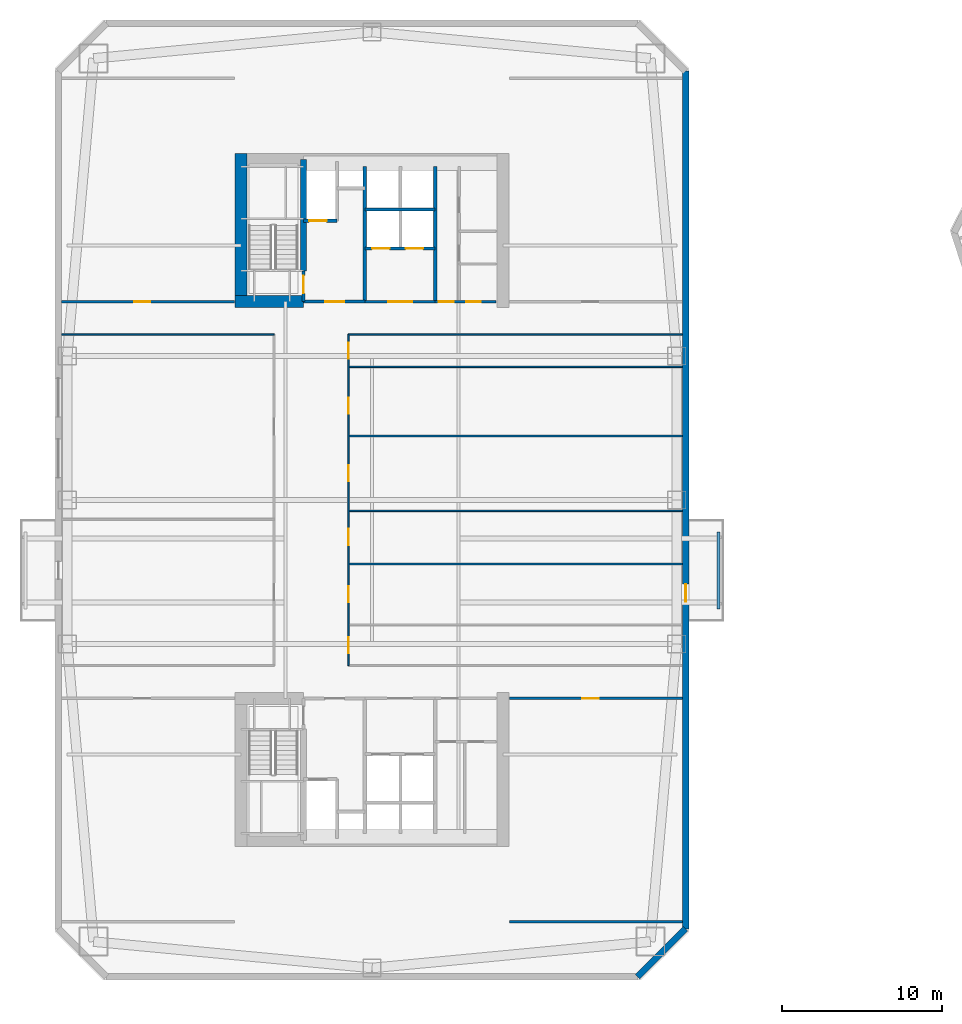
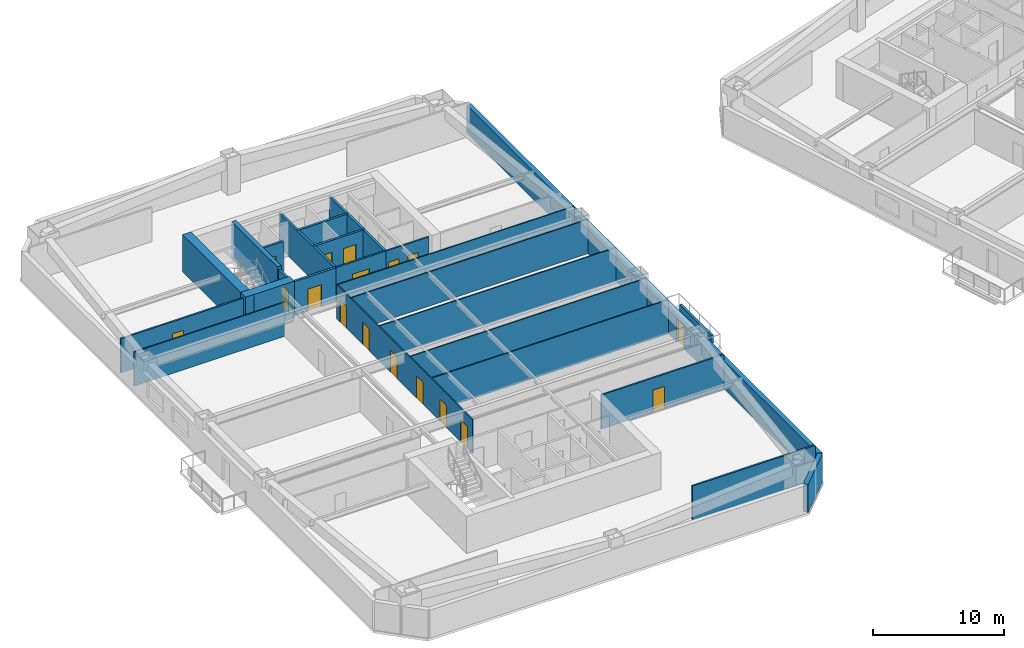
# One storey, part 6 of 15: 25 walls, 17 doors, 17 openings.
"""IFC4 building model written with IfcOpenShell, lengths in metres."""

from ifc_helpers import new_model, si_unit, direction, frame, frame_2d, origin, place, context, subcontext, project, spatial, rectangle, extrude, material, layer, layer_set, type_object, element, fill, save


model = new_model("IFC4")

# Units and contexts
model_context = context("Model", 3, precision=1e-05, world=origin(), true_north=direction((0.0, 1.0)))
body_context = subcontext(model_context, "Body", "Model", "MODEL_VIEW")
ifc_project = project(units=[si_unit("LENGTHUNIT", "METRE"), si_unit("AREAUNIT", "SQUARE_METRE"), si_unit("VOLUMEUNIT", "CUBIC_METRE"), si_unit("PLANEANGLEUNIT", "RADIAN"), si_unit("MASSUNIT", "GRAM", prefix="KILO")], contexts=[model_context])

# Site, building, storey
site_placement = place(None, origin())
site = spatial("IfcSite", under=ifc_project, at=site_placement, CompositionType="ELEMENT")
building_placement = place(site_placement, origin())
building = spatial("IfcBuilding", under=site, at=building_placement, Name="Qiaolan Cultural Towers", CompositionType="ELEMENT")
storey_placement = place(building_placement, frame((0.0, 0.0, 81.64990234375)))
storey = spatial("IfcBuildingStorey", under=building, at=storey_placement, Name="L20", CompositionType="ELEMENT", Elevation=81.64990234375)

# Walls
ifc_material_1 = material(Name="Concrete C50", Category="concrete")
ifc_layer_1 = layer(ifc_material_1, 0.35009765625)
ifc_layer_set_1 = layer_set([ifc_layer_1], Name="Concrete C50")
wall_type_1 = type_object("IfcWallType", Name="WL-CORE-350", PredefinedType="SHEAR", material=ifc_layer_set_1)
wall_1_placement = place(storey_placement, frame((25.719970703125, 48.300048828125, 0.0), z_axis=(0.0, 0.0, 1.0), x_axis=(0.0, 1.0, 0.0)))
element("IfcWall", 1, at=wall_1_placement, inside=storey, type_object=wall_type_1, Name="L20 T1-CN Stair Core Dividing Web", PredefinedType="SHEAR", context=body_context, shape_type="SweptSolid", body=[
    extrude(rectangle(XDim=6.97998046875, YDim=0.35009765625, at=frame_2d((3.489990234375, 0.0))), origin(), (0.0, 0.0, 1.0), 3.4501953125),
])
ifc_material_2 = material(Name="Concrete C60", Category="concrete")
ifc_layer_2 = layer(ifc_material_2, 0.75)
ifc_layer_set_2 = layer_set([ifc_layer_2], Name="Concrete C60")
wall_type_2 = type_object("IfcWallType", Name="WL-CORE-750", PredefinedType="SHEAR", material=ifc_layer_set_2)
wall_2_placement = place(storey_placement, frame((21.800048828125, 46.02490234375, 0.0), z_axis=(0.0, 0.0, 1.0), x_axis=(0.0, 1.0, 0.0)))
element("IfcWall", 2, at=wall_2_placement, inside=storey, type_object=wall_type_2, Name="L20 T1-CN West Core Shear Wall", PredefinedType="SHEAR", context=body_context, shape_type="SweptSolid", body=[
    extrude(rectangle(XDim=9.630126953125, YDim=0.75, at=frame_2d((4.81494140625, 0.0))), origin(), (0.0, 0.0, 1.0), 3.4501953125),
])
wall_3_placement = place(storey_placement, frame((21.425048828125, 46.39990234375, 0.0), z_axis=(0.0, 0.0, 1.0), x_axis=(1.0, 0.0, 0.0)))
element("IfcWall", 3, at=wall_3_placement, inside=storey, type_object=wall_type_2, Name="L20 T1-CN Stair Front Shear Wall", PredefinedType="SHEAR", context=body_context, shape_type="SweptSolid", body=[
    extrude(rectangle(XDim=4.294921875, YDim=0.75, at=frame_2d((2.1474609375, 0.0))), origin(), (0.0, 0.0, 1.0), 3.4501953125),
])

# Wall, opening, door
ifc_material_3 = material(Name="Precast Concrete C50 Honed Stone Pier", Category="masonry")
ifc_layer_3 = layer(ifc_material_3, 0.39990234375)
ifc_layer_set_3 = layer_set([ifc_layer_3], Name="Precast Concrete C50 Honed Stone Pier")
wall_type_3 = type_object("IfcWallType", Name="WL-EXT-PIER-400", PredefinedType="SOLIDWALL", material=ifc_layer_set_3)
wall_4_placement = place(storey_placement, frame((49.60009765625, 60.800048828125, 0.0), z_axis=(0.0, 0.0, 1.0), x_axis=(0.0, -1.0, 0.0)))
wall_4 = element("IfcWall", 4, at=wall_4_placement, inside=storey, type_object=wall_type_3, Name="L20 West Tower Precast Pier Facade Wall F5", PredefinedType="SOLIDWALL", context=body_context, shape_type="SweptSolid", body=[
    extrude(rectangle(XDim=53.60009765625, YDim=0.39990234375, at=frame_2d((26.800048828125, 0.0))), origin(), (0.0, 0.0, 1.0), 2.610107421875),
])
opening_1_placement = place(wall_4_placement, frame((32.050048828125, 0.0, 0.0)))
opening_1 = element("IfcOpeningElement", 5, at=opening_1_placement, cuts=wall_4, Name="Opening BD-01", PredefinedType="OPENING", context=body_context, shape_type="SweptSolid", body=[
    extrude(rectangle(XDim=1.10009765625, YDim=2.14990234375, at=frame_2d((0.550048828125, 1.074951171875))), frame((0.0, 0.2099609375, 0.0), z_axis=(0.0, -1.0, 0.0), x_axis=(1.0, 0.0, 0.0)), (0.0, 0.0, 1.0), 0.419921875),
])
ifc_material_4 = material(Name="Thermally Broken Aluminium Glazed Terrace Door", Category="aluminium")
door_type_1 = type_object("IfcDoorType", Name="DR-BAL-1100", OperationType="NOTDEFINED", PredefinedType="DOOR", material=ifc_material_4)
door_1_placement = place(opening_1_placement, origin())
door_1 = element("IfcDoor", 6, at=door_1_placement, inside=storey, type_object=door_type_1, Name="L20 T1 East Tree Balcony Door", OperationType="SINGLE_SWING_RIGHT", OverallHeight=2.14990234375, OverallWidth=1.10009765625, PredefinedType="DOOR", context=body_context, shape_type="SweptSolid", body=[
    extrude(rectangle(XDim=1.10009765625, YDim=2.14990234375, at=frame_2d((0.550048828125, 1.074951171875))), frame((0.0, 0.02490234375, 0.0), z_axis=(0.0, -1.0, 0.0), x_axis=(1.0, 0.0, 0.0)), (0.0, 0.0, 1.0), 0.050048828125),
])
fill(opening_1, door_1)

# Wall
wall_5_placement = place(storey_placement, frame((49.60009765625, 7.199951171875, 0.0), z_axis=(0.0, 0.0, 1.0), x_axis=(-0.707106781187, -0.707106781187, 0.0)))
element("IfcWall", 7, at=wall_5_placement, inside=storey, type_object=wall_type_3, Name="L20 West Tower Precast Pier Facade Wall F6", PredefinedType="SOLIDWALL", context=body_context, shape_type="SweptSolid", body=[
    extrude(rectangle(XDim=4.24267578125, YDim=0.39990234375, at=frame_2d((2.121337890625, 0.0))), origin(), (0.0, 0.0, 1.0), 2.610107421875),
])

# Wall, opening, door
ifc_material_5 = material(Name="Concrete C35 Fire Wall", Category="concrete")
ifc_layer_4 = layer(ifc_material_5, 0.199951171875)
ifc_layer_set_4 = layer_set([ifc_layer_4], Name="Concrete C35 Fire Wall")
wall_type_4 = type_object("IfcWallType", Name="WL-FIRE-200", PredefinedType="PARTITIONING", material=ifc_layer_set_4)
wall_6_placement = place(storey_placement, frame((25.719970703125, 46.39990234375, 0.0), z_axis=(0.0, 0.0, 1.0), x_axis=(0.0, 1.0, 0.0)))
wall_6 = element("IfcWall", 8, at=wall_6_placement, inside=storey, type_object=wall_type_4, Name="L20 T1-CN Smokeproof Stair Entry Wall", PredefinedType="PARTITIONING", context=body_context, shape_type="SweptSolid", body=[
    extrude(rectangle(XDim=1.900146484375, YDim=0.199951171875, at=frame_2d((0.9501953125, 0.0))), origin(), (0.0, 0.0, 1.0), 3.175048828125),
])
opening_2_placement = place(wall_6_placement, frame((0.52001953125, 0.0, 0.0)))
opening_2 = element("IfcOpeningElement", 9, at=opening_2_placement, cuts=wall_6, Name="Opening FD-04", PredefinedType="OPENING", context=body_context, shape_type="SweptSolid", body=[
    extrude(rectangle(XDim=1.10009765625, YDim=2.050048828125, at=frame_2d((0.550048828125, 1.02490234375))), frame((0.0, 0.10986328125, 0.0), z_axis=(0.0, -1.0, 0.0), x_axis=(1.0, 0.0, 0.0)), (0.0, 0.0, 1.0), 0.219970703125),
])
ifc_material_6 = material(Name="Galvanized Steel Command Fire Door", Category="steel")
door_type_2 = type_object("IfcDoorType", Name="DR-FD90-1100", OperationType="NOTDEFINED", PredefinedType="DOOR", material=ifc_material_6)
door_2_placement = place(opening_2_placement, origin())
door_2 = element("IfcDoor", 10, at=door_2_placement, inside=storey, type_object=door_type_2, Name="L20 ST-W2 Smokeproof Stair Fire Door", OperationType="SINGLE_SWING_LEFT", OverallHeight=2.050048828125, OverallWidth=1.10009765625, PredefinedType="DOOR", context=body_context, shape_type="SweptSolid", body=[
    extrude(rectangle(XDim=1.10009765625, YDim=2.050048828125, at=frame_2d((0.550048828125, 1.02490234375))), frame((0.0, 0.02490234375, 0.0), z_axis=(0.0, -1.0, 0.0), x_axis=(1.0, 0.0, 0.0)), (0.0, 0.0, 1.0), 0.050048828125),
])
fill(opening_2, door_2)

# Wall
wall_7_placement = place(storey_placement, frame((29.550048828125, 46.39990234375, 0.0), z_axis=(0.0, 0.0, 1.0), x_axis=(0.0, 1.0, 0.0)))
element("IfcWall", 11, at=wall_7_placement, inside=storey, type_object=wall_type_4, Name="L20 T1-CN Firefighting Zone Wall", PredefinedType="PARTITIONING", context=body_context, shape_type="SweptSolid", body=[
    extrude(rectangle(XDim=8.43017578125, YDim=0.199951171875, at=frame_2d((4.215087890625, 0.0))), origin(), (0.0, 0.0, 1.0), 3.175048828125),
])

# Wall, opening, door
wall_8_placement = place(storey_placement, frame((25.719970703125, 46.39990234375, 0.0), z_axis=(0.0, 0.0, 1.0), x_axis=(1.0, 0.0, 0.0)))
wall_8 = element("IfcWall", 12, at=wall_8_placement, inside=storey, type_object=wall_type_4, Name="L20 T1-CN Firefighting Lobby Front Wall", PredefinedType="PARTITIONING", context=body_context, shape_type="SweptSolid", body=[
    extrude(rectangle(XDim=3.830078125, YDim=0.199951171875, at=frame_2d((1.9150390625, 0.0))), origin(), (0.0, 0.0, 1.0), 3.175048828125),
])
opening_3_placement = place(wall_8_placement, frame((1.35009765625, 0.0, 0.0)))
opening_3 = element("IfcOpeningElement", 13, at=opening_3_placement, cuts=wall_8, Name="Opening FD-03", PredefinedType="OPENING", context=body_context, shape_type="SweptSolid", body=[
    extrude(rectangle(XDim=1.199951171875, YDim=2.050048828125, at=frame_2d((0.60009765625, 1.02490234375))), frame((0.0, 0.10986328125, 0.0), z_axis=(0.0, -1.0, 0.0), x_axis=(1.0, 0.0, 0.0)), (0.0, 0.0, 1.0), 0.219970703125),
])
ifc_material_7 = material(Name="Galvanized Steel Smokeproof Lobby Fire Door", Category="steel")
door_type_3 = type_object("IfcDoorType", Name="DR-FD90-1200", OperationType="NOTDEFINED", PredefinedType="DOOR", material=ifc_material_7)
door_3_placement = place(opening_3_placement, origin())
door_3 = element("IfcDoor", 14, at=door_3_placement, inside=storey, type_object=door_type_3, Name="L20 FFL-W2 Firefighting Lobby Fire Door", OperationType="SINGLE_SWING_LEFT", OverallHeight=2.050048828125, OverallWidth=1.199951171875, PredefinedType="DOOR", context=body_context, shape_type="SweptSolid", body=[
    extrude(rectangle(XDim=1.199951171875, YDim=2.050048828125, at=frame_2d((0.60009765625, 1.02490234375))), frame((0.0, 0.02490234375, 0.0), z_axis=(0.0, -1.0, 0.0), x_axis=(1.0, 0.0, 0.0)), (0.0, 0.0, 1.0), 0.050048828125),
])
fill(opening_3, door_3)

wall_9_placement = place(storey_placement, frame((25.719970703125, 51.449951171875, 0.0), z_axis=(0.0, 0.0, 1.0), x_axis=(1.0, 0.0, 0.0)))
wall_9 = element("IfcWall", 15, at=wall_9_placement, inside=storey, type_object=wall_type_4, Name="L20 T1-CN Firefighting Shaft Front Wall", PredefinedType="PARTITIONING", context=body_context, shape_type="SweptSolid", body=[
    extrude(rectangle(XDim=2.10009765625, YDim=0.199951171875, at=frame_2d((1.050048828125, 0.0))), origin(), (0.0, 0.0, 1.0), 3.175048828125),
])
opening_4_placement = place(wall_9_placement, frame((0.35009765625, 0.0, 0.0)))
opening_4 = element("IfcOpeningElement", 16, at=opening_4_placement, cuts=wall_9, Name="Opening LD-01", PredefinedType="OPENING", context=body_context, shape_type="SweptSolid", body=[
    extrude(rectangle(XDim=1.10009765625, YDim=2.050048828125, at=frame_2d((0.550048828125, 1.02490234375))), frame((0.0, 0.10986328125, 0.0), z_axis=(0.0, -1.0, 0.0), x_axis=(1.0, 0.0, 0.0)), (0.0, 0.0, 1.0), 0.219970703125),
])
ifc_material_8 = material(Name="Brushed Stainless Steel S30408 Centre-Parting Lift Landing Door", Category="steel")
door_type_4 = type_object("IfcDoorType", Name="DR-LIFT-1100", OperationType="NOTDEFINED", PredefinedType="DOOR", material=ifc_material_8)
door_4_placement = place(opening_4_placement, origin())
door_4 = element("IfcDoor", 17, at=door_4_placement, inside=storey, type_object=door_type_4, Name="L20 FFL-W2 Firefighting Lift Landing Door", OperationType="DOUBLE_DOOR_SLIDING", OverallHeight=2.050048828125, OverallWidth=1.10009765625, PredefinedType="DOOR", context=body_context, shape_type="SweptSolid", body=[
    extrude(rectangle(XDim=1.10009765625, YDim=2.050048828125, at=frame_2d((0.550048828125, 1.02490234375))), frame((0.0, 0.02490234375, 0.0), z_axis=(0.0, -1.0, 0.0), x_axis=(1.0, 0.0, 0.0)), (0.0, 0.0, 1.0), 0.050048828125),
])
fill(opening_4, door_4)

# Wall
wall_10_placement = place(storey_placement, frame((33.949951171875, 46.39990234375, 0.0), z_axis=(0.0, 0.0, 1.0), x_axis=(0.0, 1.0, 0.0)))
element("IfcWall", 18, at=wall_10_placement, inside=storey, type_object=wall_type_4, Name="L20 T1-CN Lift Core East Wall", PredefinedType="PARTITIONING", context=body_context, shape_type="SweptSolid", body=[
    extrude(rectangle(XDim=8.43017578125, YDim=0.199951171875, at=frame_2d((4.215087890625, 0.0))), origin(), (0.0, 0.0, 1.0), 3.175048828125),
])

# Wall, openings, doors
wall_11_placement = place(storey_placement, frame((29.550048828125, 49.719970703125, 0.0), z_axis=(0.0, 0.0, 1.0), x_axis=(1.0, 0.0, 0.0)))
wall_11 = element("IfcWall", 19, at=wall_11_placement, inside=storey, type_object=wall_type_4, Name="L20 T1-CN Passenger Lift Shaft Front Wall", PredefinedType="PARTITIONING", context=body_context, shape_type="SweptSolid", body=[
    extrude(rectangle(XDim=4.39990234375, YDim=0.199951171875, at=frame_2d((2.199951171875, 0.0))), origin(), (0.0, 0.0, 1.0), 3.175048828125),
])
opening_5_placement = place(wall_11_placement, frame((0.449951171875, 0.0, 0.0)))
opening_5 = element("IfcOpeningElement", 20, at=opening_5_placement, cuts=wall_11, Name="Opening LD-01", PredefinedType="OPENING", context=body_context, shape_type="SweptSolid", body=[
    extrude(rectangle(XDim=1.10009765625, YDim=2.050048828125, at=frame_2d((0.550048828125, 1.02490234375))), frame((0.0, 0.10986328125, 0.0), z_axis=(0.0, -1.0, 0.0), x_axis=(1.0, 0.0, 0.0)), (0.0, 0.0, 1.0), 0.219970703125),
])
opening_6_placement = place(wall_11_placement, frame((2.550048828125, 0.0, 0.0)))
opening_6 = element("IfcOpeningElement", 21, at=opening_6_placement, cuts=wall_11, Name="Opening LD-01", PredefinedType="OPENING", context=body_context, shape_type="SweptSolid", body=[
    extrude(rectangle(XDim=1.10009765625, YDim=2.050048828125, at=frame_2d((0.550048828125, 1.02490234375))), frame((0.0, 0.10986328125, 0.0), z_axis=(0.0, -1.0, 0.0), x_axis=(1.0, 0.0, 0.0)), (0.0, 0.0, 1.0), 0.219970703125),
])
door_5_placement = place(opening_5_placement, origin())
door_5 = element("IfcDoor", 22, at=door_5_placement, inside=storey, type_object=door_type_4, Name="L20 Passenger Lift 1 Landing Door", OperationType="DOUBLE_DOOR_SLIDING", OverallHeight=2.050048828125, OverallWidth=1.10009765625, PredefinedType="DOOR", context=body_context, shape_type="SweptSolid", body=[
    extrude(rectangle(XDim=1.10009765625, YDim=2.050048828125, at=frame_2d((0.550048828125, 1.02490234375))), frame((0.0, 0.02490234375, 0.0), z_axis=(0.0, -1.0, 0.0), x_axis=(1.0, 0.0, 0.0)), (0.0, 0.0, 1.0), 0.050048828125),
])
fill(opening_5, door_5)
door_6_placement = place(opening_6_placement, origin())
door_6 = element("IfcDoor", 23, at=door_6_placement, inside=storey, type_object=door_type_4, Name="L20 Passenger Lift 2 Landing Door", OperationType="DOUBLE_DOOR_SLIDING", OverallHeight=2.050048828125, OverallWidth=1.10009765625, PredefinedType="DOOR", context=body_context, shape_type="SweptSolid", body=[
    extrude(rectangle(XDim=1.10009765625, YDim=2.050048828125, at=frame_2d((0.550048828125, 1.02490234375))), frame((0.0, 0.02490234375, 0.0), z_axis=(0.0, -1.0, 0.0), x_axis=(1.0, 0.0, 0.0)), (0.0, 0.0, 1.0), 0.050048828125),
])
fill(opening_6, door_6)

# Walls
wall_12_placement = place(storey_placement, frame((29.550048828125, 52.14990234375, 0.0), z_axis=(0.0, 0.0, 1.0), x_axis=(1.0, 0.0, 0.0)))
element("IfcWall", 24, at=wall_12_placement, inside=storey, type_object=wall_type_4, Name="L20 T1-CN Passenger Lift Shaft Back Wall", PredefinedType="PARTITIONING", context=body_context, shape_type="SweptSolid", body=[
    extrude(rectangle(XDim=4.39990234375, YDim=0.199951171875, at=frame_2d((2.199951171875, 0.0))), origin(), (0.0, 0.0, 1.0), 3.175048828125),
])
ifc_material_9 = material(Name="Acoustic Double-Glazed Partition Frame", Category="glass")
ifc_layer_5 = layer(ifc_material_9, 0.10009765625)
ifc_layer_set_5 = layer_set([ifc_layer_5], Name="Acoustic Double-Glazed Partition Frame")
wall_type_5 = type_object("IfcWallType", Name="WL-GLAZED-100", PredefinedType="MOVABLE", material=ifc_layer_set_5)
wall_13_placement = place(storey_placement, frame((10.60009765625, 44.35009765625, 0.0), z_axis=(0.0, 0.0, 1.0), x_axis=(1.0, 0.0, 0.0)))
element("IfcWall", 25, at=wall_13_placement, inside=storey, type_object=wall_type_5, Name="L20 T1 North Corridor Left Wall", PredefinedType="MOVABLE", context=body_context, shape_type="SweptSolid", body=[
    extrude(rectangle(XDim=13.27490234375, YDim=0.10009765625, at=frame_2d((6.637451171875, 0.0))), origin(), (0.0, 0.0, 1.0), 3.175048828125),
])
wall_14_placement = place(storey_placement, frame((28.52490234375, 44.35009765625, 0.0), z_axis=(0.0, 0.0, 1.0), x_axis=(1.0, 0.0, 0.0)))
element("IfcWall", 26, at=wall_14_placement, inside=storey, type_object=wall_type_5, Name="L20 T1 North Corridor Right Wall", PredefinedType="MOVABLE", context=body_context, shape_type="SweptSolid", body=[
    extrude(rectangle(XDim=20.875, YDim=0.10009765625, at=frame_2d((10.4375, 0.0))), origin(), (0.0, 0.0, 1.0), 3.175048828125),
])

# Wall, openings, doors
wall_15_placement = place(storey_placement, frame((28.52490234375, 23.64990234375, 0.0), z_axis=(0.0, 0.0, 1.0), x_axis=(0.0, 1.0, 0.0)))
wall_15 = element("IfcWall", 27, at=wall_15_placement, inside=storey, type_object=wall_type_5, Name="L20 T1 East Spine Wall", PredefinedType="MOVABLE", context=body_context, shape_type="SweptSolid", body=[
    extrude(rectangle(XDim=20.7001953125, YDim=0.10009765625, at=frame_2d((10.35009765625, 0.0))), origin(), (0.0, 0.0, 1.0), 3.175048828125),
])
opening_7_placement = place(wall_15_placement, frame((0.77490234375, 0.0, 0.0)))
opening_7 = element("IfcOpeningElement", 28, at=opening_7_placement, cuts=wall_15, Name="Opening ID-04", PredefinedType="OPENING", context=body_context, shape_type="SweptSolid", body=[
    extrude(rectangle(XDim=1.0, YDim=2.050048828125, at=frame_2d((0.5, 1.02490234375))), frame((0.0, 0.06005859375, 0.0), z_axis=(0.0, -1.0, 0.0), x_axis=(1.0, 0.0, 0.0)), (0.0, 0.0, 1.0), 0.1201171875),
])
opening_8_placement = place(wall_15_placement, frame((3.949951171875, 0.0, 0.0)))
opening_8 = element("IfcOpeningElement", 29, at=opening_8_placement, cuts=wall_15, Name="Opening ID-04", PredefinedType="OPENING", context=body_context, shape_type="SweptSolid", body=[
    extrude(rectangle(XDim=1.0, YDim=2.050048828125, at=frame_2d((0.5, 1.02490234375))), frame((0.0, 0.06005859375, 0.0), z_axis=(0.0, -1.0, 0.0), x_axis=(1.0, 0.0, 0.0)), (0.0, 0.0, 1.0), 0.1201171875),
])
opening_9_placement = place(wall_15_placement, frame((7.510009765625, 0.0, 0.0)))
opening_9 = element("IfcOpeningElement", 30, at=opening_9_placement, cuts=wall_15, Name="Opening ID-07", PredefinedType="OPENING", context=body_context, shape_type="SweptSolid", body=[
    extrude(rectangle(XDim=1.050048828125, YDim=2.050048828125, at=frame_2d((0.52490234375, 1.02490234375))), frame((0.0, 0.06005859375, 0.0), z_axis=(0.0, -1.0, 0.0), x_axis=(1.0, 0.0, 0.0)), (0.0, 0.0, 1.0), 0.1201171875),
])
opening_10_placement = place(wall_15_placement, frame((11.510009765625, 0.0, 0.0)))
opening_10 = element("IfcOpeningElement", 31, at=opening_10_placement, cuts=wall_15, Name="Opening ID-04", PredefinedType="OPENING", context=body_context, shape_type="SweptSolid", body=[
    extrude(rectangle(XDim=1.0, YDim=2.050048828125, at=frame_2d((0.5, 1.02490234375))), frame((0.0, 0.06005859375, 0.0), z_axis=(0.0, -1.0, 0.0), x_axis=(1.0, 0.0, 0.0)), (0.0, 0.0, 1.0), 0.1201171875),
])
opening_11_placement = place(wall_15_placement, frame((15.75, 0.0, 0.0)))
opening_11 = element("IfcOpeningElement", 32, at=opening_11_placement, cuts=wall_15, Name="Opening ID-04", PredefinedType="OPENING", context=body_context, shape_type="SweptSolid", body=[
    extrude(rectangle(XDim=1.0, YDim=2.050048828125, at=frame_2d((0.5, 1.02490234375))), frame((0.0, 0.06005859375, 0.0), z_axis=(0.0, -1.0, 0.0), x_axis=(1.0, 0.0, 0.0)), (0.0, 0.0, 1.0), 0.1201171875),
])
opening_12_placement = place(wall_15_placement, frame((19.18505859375, 0.0, 0.0)))
opening_12 = element("IfcOpeningElement", 33, at=opening_12_placement, cuts=wall_15, Name="Opening ID-04", PredefinedType="OPENING", context=body_context, shape_type="SweptSolid", body=[
    extrude(rectangle(XDim=1.0, YDim=2.050048828125, at=frame_2d((0.5, 1.02490234375))), frame((0.0, 0.06005859375, 0.0), z_axis=(0.0, -1.0, 0.0), x_axis=(1.0, 0.0, 0.0)), (0.0, 0.0, 1.0), 0.1201171875),
])
ifc_material_10 = material(Name="Oak Veneer Acoustic Office Door", Category="timber")
door_type_5 = type_object("IfcDoorType", Name="DR-INT-1000", OperationType="NOTDEFINED", PredefinedType="DOOR", material=ifc_material_10)
door_7_placement = place(opening_7_placement, origin())
door_7 = element("IfcDoor", 34, at=door_7_placement, inside=storey, type_object=door_type_5, Name="L20 T1 Boutique Art Shop Door", OperationType="SINGLE_SWING_RIGHT", OverallHeight=2.050048828125, OverallWidth=1.0, PredefinedType="DOOR", context=body_context, shape_type="SweptSolid", body=[
    extrude(rectangle(XDim=1.0, YDim=2.050048828125, at=frame_2d((0.5, 1.02490234375))), frame((0.0, 0.02490234375, 0.0), z_axis=(0.0, -1.0, 0.0), x_axis=(1.0, 0.0, 0.0)), (0.0, 0.0, 1.0), 0.050048828125),
])
fill(opening_7, door_7)
door_8_placement = place(opening_8_placement, origin())
door_8 = element("IfcDoor", 35, at=door_8_placement, inside=storey, type_object=door_type_5, Name="L20 T1 Boutique Art Shop Door", OperationType="SINGLE_SWING_LEFT", OverallHeight=2.050048828125, OverallWidth=1.0, PredefinedType="DOOR", context=body_context, shape_type="SweptSolid", body=[
    extrude(rectangle(XDim=1.0, YDim=2.050048828125, at=frame_2d((0.5, 1.02490234375))), frame((0.0, 0.02490234375, 0.0), z_axis=(0.0, -1.0, 0.0), x_axis=(1.0, 0.0, 0.0)), (0.0, 0.0, 1.0), 0.050048828125),
])
fill(opening_8, door_8)
door_9_placement = place(opening_10_placement, origin())
door_9 = element("IfcDoor", 36, at=door_9_placement, inside=storey, type_object=door_type_5, Name="L20 T1 Wellness Care Room Door", OperationType="SINGLE_SWING_LEFT", OverallHeight=2.050048828125, OverallWidth=1.0, PredefinedType="DOOR", context=body_context, shape_type="SweptSolid", body=[
    extrude(rectangle(XDim=1.0, YDim=2.050048828125, at=frame_2d((0.5, 1.02490234375))), frame((0.0, 0.02490234375, 0.0), z_axis=(0.0, -1.0, 0.0), x_axis=(1.0, 0.0, 0.0)), (0.0, 0.0, 1.0), 0.050048828125),
])
fill(opening_10, door_9)
door_10_placement = place(opening_11_placement, origin())
door_10 = element("IfcDoor", 37, at=door_10_placement, inside=storey, type_object=door_type_5, Name="L20 T1 Conference Room Door", OperationType="SINGLE_SWING_RIGHT", OverallHeight=2.050048828125, OverallWidth=1.0, PredefinedType="DOOR", context=body_context, shape_type="SweptSolid", body=[
    extrude(rectangle(XDim=1.0, YDim=2.050048828125, at=frame_2d((0.5, 1.02490234375))), frame((0.0, 0.02490234375, 0.0), z_axis=(0.0, -1.0, 0.0), x_axis=(1.0, 0.0, 0.0)), (0.0, 0.0, 1.0), 0.050048828125),
])
fill(opening_11, door_10)
door_11_placement = place(opening_12_placement, origin())
door_11 = element("IfcDoor", 38, at=door_11_placement, inside=storey, type_object=door_type_5, Name="L20 T1 Tea Kitchen Door", OperationType="SINGLE_SWING_RIGHT", OverallHeight=2.050048828125, OverallWidth=1.0, PredefinedType="DOOR", context=body_context, shape_type="SweptSolid", body=[
    extrude(rectangle(XDim=1.0, YDim=2.050048828125, at=frame_2d((0.5, 1.02490234375))), frame((0.0, 0.02490234375, 0.0), z_axis=(0.0, -1.0, 0.0), x_axis=(1.0, 0.0, 0.0)), (0.0, 0.0, 1.0), 0.050048828125),
])
fill(opening_12, door_11)
ifc_material_11 = material(Name="Oak Veneer Consultation Door", Category="timber")
door_type_6 = type_object("IfcDoorType", Name="DR-INT-1050", OperationType="NOTDEFINED", PredefinedType="DOOR", material=ifc_material_11)
door_12_placement = place(opening_9_placement, origin())
door_12 = element("IfcDoor", 39, at=door_12_placement, inside=storey, type_object=door_type_6, Name="L20 T1 Boutique Art Shop Door", OperationType="SINGLE_SWING_RIGHT", OverallHeight=2.050048828125, OverallWidth=1.050048828125, PredefinedType="DOOR", context=body_context, shape_type="SweptSolid", body=[
    extrude(rectangle(XDim=1.050048828125, YDim=2.050048828125, at=frame_2d((0.52490234375, 1.02490234375))), frame((0.0, 0.02490234375, 0.0), z_axis=(0.0, -1.0, 0.0), x_axis=(1.0, 0.0, 0.0)), (0.0, 0.0, 1.0), 0.050048828125),
])
fill(opening_9, door_12)

# Walls
for number, where, z_axis, x_axis, name in (
    (40, (28.52490234375, 30.0, 0.0), (0.0, 0.0, 1.0), (1.0, 0.0, 0.0), "L20 T1 East Partition 2"),
    (41, (28.52490234375, 33.320068359375, 0.0), (0.0, 0.0, 1.0), (1.0, 0.0, 0.0), "L20 T1 East Partition 3"),
    (42, (28.52490234375, 38.0, 0.0), (0.0, 0.0, 1.0), (1.0, 0.0, 0.0), "L20 T1 East Partition 4"),
    (43, (28.52490234375, 42.320068359375, 0.0), (0.0, 0.0, 1.0), (1.0, 0.0, 0.0), "L20 T1 East Partition 6"),
):
    element("IfcWall", number, at=place(storey_placement, frame(where, z_axis=z_axis, x_axis=x_axis)), inside=storey, type_object=wall_type_5, Name=name, PredefinedType="MOVABLE", context=body_context, shape_type="SweptSolid", body=[
        extrude(rectangle(XDim=20.875, YDim=0.10009765625, at=frame_2d((10.4375, 0.0))), origin(), (0.0, 0.0, 1.0), 3.175048828125),
    ])

# Wall, opening, door
ifc_material_12 = material(Name="Autoclaved Aerated Concrete Block B06", Category="concrete")
ifc_layer_6 = layer(ifc_material_12, 0.14990234375)
ifc_layer_set_6 = layer_set([ifc_layer_6], Name="Autoclaved Aerated Concrete Block B06")
wall_type_6 = type_object("IfcWallType", Name="WL-PART-150", PredefinedType="PARTITIONING", material=ifc_layer_set_6)
wall_16_placement = place(storey_placement, frame((29.550048828125, 46.39990234375, 0.0), z_axis=(0.0, 0.0, 1.0), x_axis=(1.0, 0.0, 0.0)))
wall_16 = element("IfcWall", 44, at=wall_16_placement, inside=storey, type_object=wall_type_6, Name="L20 T1-CN Passenger Lift Lobby Front Wall", PredefinedType="PARTITIONING", context=body_context, shape_type="SweptSolid", body=[
    extrude(rectangle(XDim=4.39990234375, YDim=0.14990234375, at=frame_2d((2.199951171875, 0.0))), origin(), (0.0, 0.0, 1.0), 3.175048828125),
])
opening_13_placement = place(wall_16_placement, frame((1.449951171875, 0.0, 0.0)))
opening_13 = element("IfcOpeningElement", 45, at=opening_13_placement, cuts=wall_16, Name="Opening FD-05", PredefinedType="OPENING", context=body_context, shape_type="SweptSolid", body=[
    extrude(rectangle(XDim=1.5, YDim=2.050048828125, at=frame_2d((0.75, 1.02490234375))), frame((0.0, 0.0849609375, 0.0), z_axis=(0.0, -1.0, 0.0), x_axis=(1.0, 0.0, 0.0)), (0.0, 0.0, 1.0), 0.169921875),
])
ifc_material_13 = material(Name="Painted Steel Lift Lobby Fire Door", Category="steel")
door_type_7 = type_object("IfcDoorType", Name="DR-FD60-1500", OperationType="NOTDEFINED", PredefinedType="DOOR", material=ifc_material_13)
door_13_placement = place(opening_13_placement, origin())
door_13 = element("IfcDoor", 46, at=door_13_placement, inside=storey, type_object=door_type_7, Name="L20 Passenger Lift Lobby Entrance", OperationType="SINGLE_SWING_LEFT", OverallHeight=2.050048828125, OverallWidth=1.5, PredefinedType="DOOR", context=body_context, shape_type="SweptSolid", body=[
    extrude(rectangle(XDim=1.5, YDim=2.050048828125, at=frame_2d((0.75, 1.02490234375))), frame((0.0, 0.02490234375, 0.0), z_axis=(0.0, -1.0, 0.0), x_axis=(1.0, 0.0, 0.0)), (0.0, 0.0, 1.0), 0.050048828125),
])
fill(opening_13, door_13)

# Wall, openings, doors
wall_17_placement = place(storey_placement, frame((33.949951171875, 46.39990234375, 0.0), z_axis=(0.0, 0.0, 1.0), x_axis=(1.0, 0.0, 0.0)))
wall_17 = element("IfcWall", 47, at=wall_17_placement, inside=storey, type_object=wall_type_6, Name="L20 T1-CN Sanitary Core Front Wall", PredefinedType="PARTITIONING", context=body_context, shape_type="SweptSolid", body=[
    extrude(rectangle(XDim=3.800048828125, YDim=0.14990234375, at=frame_2d((1.89990234375, 0.0))), origin(), (0.0, 0.0, 1.0), 3.175048828125),
])
opening_14_placement = place(wall_17_placement, frame((0.219970703125, 0.0, 0.0)))
opening_14 = element("IfcOpeningElement", 48, at=opening_14_placement, cuts=wall_17, Name="Opening ID-05", PredefinedType="OPENING", context=body_context, shape_type="SweptSolid", body=[
    extrude(rectangle(XDim=0.949951171875, YDim=2.050048828125, at=frame_2d((0.47509765625, 1.02490234375))), frame((0.0, 0.0849609375, 0.0), z_axis=(0.0, -1.0, 0.0), x_axis=(1.0, 0.0, 0.0)), (0.0, 0.0, 1.0), 0.169921875),
])
opening_15_placement = place(wall_17_placement, frame((1.949951171875, 0.0, 0.0)))
opening_15 = element("IfcOpeningElement", 49, at=opening_15_placement, cuts=wall_17, Name="Opening ID-06", PredefinedType="OPENING", context=body_context, shape_type="SweptSolid", body=[
    extrude(rectangle(XDim=0.89990234375, YDim=2.050048828125, at=frame_2d((0.449951171875, 1.02490234375))), frame((0.0, 0.0849609375, 0.0), z_axis=(0.0, -1.0, 0.0), x_axis=(1.0, 0.0, 0.0)), (0.0, 0.0, 1.0), 0.169921875),
])
ifc_material_14 = material(Name="Fire-Rated Laminate Core Service Door", Category="timber")
door_type_8 = type_object("IfcDoorType", Name="DR-INT-900", OperationType="NOTDEFINED", PredefinedType="DOOR", material=ifc_material_14)
door_14_placement = place(opening_15_placement, origin())
door_14 = element("IfcDoor", 50, at=door_14_placement, inside=storey, type_object=door_type_8, Name="L20 Core Tea Pantry Door", OperationType="SINGLE_SWING_RIGHT", OverallHeight=2.050048828125, OverallWidth=0.89990234375, PredefinedType="DOOR", context=body_context, shape_type="SweptSolid", body=[
    extrude(rectangle(XDim=0.89990234375, YDim=2.050048828125, at=frame_2d((0.449951171875, 1.02490234375))), frame((0.0, 0.02490234375, 0.0), z_axis=(0.0, -1.0, 0.0), x_axis=(1.0, 0.0, 0.0)), (0.0, 0.0, 1.0), 0.050048828125),
])
fill(opening_15, door_14)
ifc_material_15 = material(Name="Fire-Rated Laminate Accessible Core Door", Category="timber")
door_type_9 = type_object("IfcDoorType", Name="DR-INT-950", OperationType="NOTDEFINED", PredefinedType="DOOR", material=ifc_material_15)
door_15_placement = place(opening_14_placement, origin())
door_15 = element("IfcDoor", 51, at=door_15_placement, inside=storey, type_object=door_type_9, Name="L20 Sanitary Passage Door", OperationType="SINGLE_SWING_LEFT", OverallHeight=2.050048828125, OverallWidth=0.949951171875, PredefinedType="DOOR", context=body_context, shape_type="SweptSolid", body=[
    extrude(rectangle(XDim=0.949951171875, YDim=2.050048828125, at=frame_2d((0.47509765625, 1.02490234375))), frame((0.0, 0.02490234375, 0.0), z_axis=(0.0, -1.0, 0.0), x_axis=(1.0, 0.0, 0.0)), (0.0, 0.0, 1.0), 0.050048828125),
])
fill(opening_14, door_15)

# Wall
wall_18_placement = place(storey_placement, frame((38.60009765625, 7.64990234375, 0.0), z_axis=(0.0, 0.0, 1.0), x_axis=(1.0, 0.0, 0.0)))
element("IfcWall", 52, at=wall_18_placement, inside=storey, type_object=wall_type_6, Name="L20 T1 Flank Wall FLK-SE", PredefinedType="PARTITIONING", context=body_context, shape_type="SweptSolid", body=[
    extrude(rectangle(XDim=10.7998046875, YDim=0.14990234375, at=frame_2d((5.39990234375, 0.0))), origin(), (0.0, 0.0, 1.0), 3.175048828125),
])

# Wall, opening, door
wall_19_placement = place(storey_placement, frame((38.60009765625, 21.60009765625, 0.0), z_axis=(0.0, 0.0, 1.0), x_axis=(1.0, 0.0, 0.0)))
wall_19 = element("IfcWall", 53, at=wall_19_placement, inside=storey, type_object=wall_type_6, Name="L20 T1 Flank Front FLK-SE", PredefinedType="PARTITIONING", context=body_context, shape_type="SweptSolid", body=[
    extrude(rectangle(XDim=10.7998046875, YDim=0.14990234375, at=frame_2d((5.39990234375, 0.0))), origin(), (0.0, 0.0, 1.0), 3.175048828125),
])
opening_16_placement = place(wall_19_placement, frame((4.535888671875, 0.0, 0.0)))
opening_16 = element("IfcOpeningElement", 54, at=opening_16_placement, cuts=wall_19, Name="Opening ID-07", PredefinedType="OPENING", context=body_context, shape_type="SweptSolid", body=[
    extrude(rectangle(XDim=1.050048828125, YDim=2.050048828125, at=frame_2d((0.52490234375, 1.02490234375))), frame((0.0, 0.0849609375, 0.0), z_axis=(0.0, -1.0, 0.0), x_axis=(1.0, 0.0, 0.0)), (0.0, 0.0, 1.0), 0.169921875),
])
door_16_placement = place(opening_16_placement, origin())
door_16 = element("IfcDoor", 55, at=door_16_placement, inside=storey, type_object=door_type_6, Name="L20 T1 Corner Studio Door", OperationType="SINGLE_SWING_LEFT", OverallHeight=2.050048828125, OverallWidth=1.050048828125, PredefinedType="DOOR", context=body_context, shape_type="SweptSolid", body=[
    extrude(rectangle(XDim=1.050048828125, YDim=2.050048828125, at=frame_2d((0.52490234375, 1.02490234375))), frame((0.0, 0.02490234375, 0.0), z_axis=(0.0, -1.0, 0.0), x_axis=(1.0, 0.0, 0.0)), (0.0, 0.0, 1.0), 0.050048828125),
])
fill(opening_16, door_16)

wall_20_placement = place(storey_placement, frame((10.60009765625, 46.39990234375, 0.0), z_axis=(0.0, 0.0, 1.0), x_axis=(1.0, 0.0, 0.0)))
wall_20 = element("IfcWall", 56, at=wall_20_placement, inside=storey, type_object=wall_type_6, Name="L20 T1 Flank Front FLK-NW", PredefinedType="PARTITIONING", context=body_context, shape_type="SweptSolid", body=[
    extrude(rectangle(XDim=10.7998046875, YDim=0.14990234375, at=frame_2d((5.39990234375, 0.0))), origin(), (0.0, 0.0, 1.0), 3.175048828125),
])
opening_17_placement = place(wall_20_placement, frame((4.535888671875, 0.0, 0.0)))
opening_17 = element("IfcOpeningElement", 57, at=opening_17_placement, cuts=wall_20, Name="Opening ID-04", PredefinedType="OPENING", context=body_context, shape_type="SweptSolid", body=[
    extrude(rectangle(XDim=1.0, YDim=2.050048828125, at=frame_2d((0.5, 1.02490234375))), frame((0.0, 0.0849609375, 0.0), z_axis=(0.0, -1.0, 0.0), x_axis=(1.0, 0.0, 0.0)), (0.0, 0.0, 1.0), 0.169921875),
])
door_17_placement = place(opening_17_placement, origin())
door_17 = element("IfcDoor", 58, at=door_17_placement, inside=storey, type_object=door_type_5, Name="L20 T1 Corner Studio Door", OperationType="SINGLE_SWING_LEFT", OverallHeight=2.050048828125, OverallWidth=1.0, PredefinedType="DOOR", context=body_context, shape_type="SweptSolid", body=[
    extrude(rectangle(XDim=1.0, YDim=2.050048828125, at=frame_2d((0.5, 1.02490234375))), frame((0.0, 0.02490234375, 0.0), z_axis=(0.0, -1.0, 0.0), x_axis=(1.0, 0.0, 0.0)), (0.0, 0.0, 1.0), 0.050048828125),
])
fill(opening_17, door_17)

# Wall
ifc_material_16 = material(Name="Precast Concrete C45 Tree Planter Upstand", Category="concrete")
ifc_layer_7 = layer(ifc_material_16, 0.199951171875)
ifc_layer_set_7 = layer_set([ifc_layer_7], Name="Precast Concrete C45 Tree Planter Upstand")
wall_type_7 = type_object("IfcWallType", Name="WL-PLANTER-200", PredefinedType="PARAPET", material=ifc_layer_set_7)
wall_21_placement = place(storey_placement, frame((51.64990234375, 27.199951171875, 0.0), z_axis=(0.0, 0.0, 1.0), x_axis=(0.0, 1.0, 0.0)))
element("IfcWall", 59, at=wall_21_placement, inside=storey, type_object=wall_type_7, Name="L20 T1 Tree Balcony Soil Planter Box E", PredefinedType="PARAPET", context=body_context, shape_type="SweptSolid", body=[
    extrude(rectangle(XDim=4.800048828125, YDim=0.199951171875, at=frame_2d((2.39990234375, 0.0))), origin(), (0.0, 0.0, 1.0), 0.75),
])

save(model, "model.ifc")
